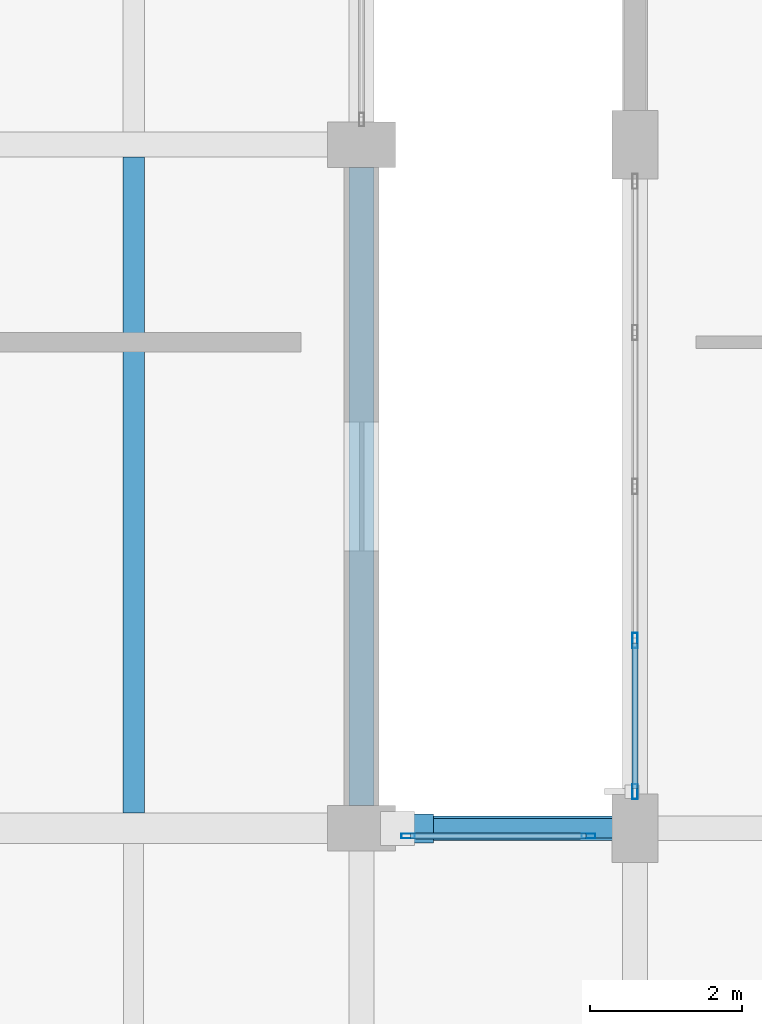
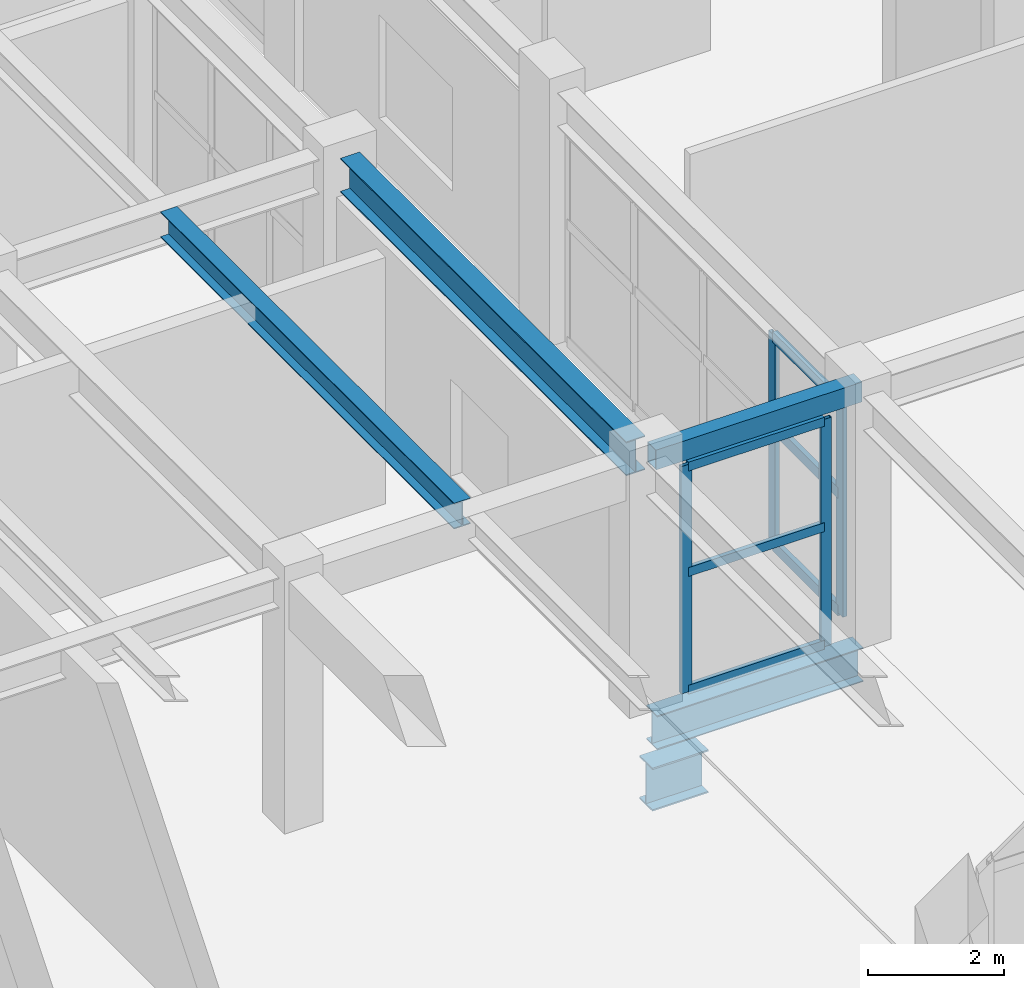
# One storey, part 32 of 85: 10 members, 5 beams, 2 elements without a shape of their own.
"""IFC4 building model written with IfcOpenShell, lengths in metres."""

from ifc_helpers import new_model, si_unit, direction, frame, origin, origin_2d, place, context, subcontext, project, spatial, hollow_rectangle, i_section, extrude, material, layer, layer_set, material_profile, profile_set, type_object, element, aggregate, save


model = new_model("IFC4")

# Units and contexts
model_context = context("Model", 3, precision=1e-05, world=origin(), true_north=direction((0.0, 1.0)))
body_context = subcontext(model_context, "Body", "Model", "MODEL_VIEW")
ifc_project = project(units=[si_unit("LENGTHUNIT", "METRE"), si_unit("AREAUNIT", "SQUARE_METRE"), si_unit("VOLUMEUNIT", "CUBIC_METRE"), si_unit("PLANEANGLEUNIT", "RADIAN"), si_unit("MASSUNIT", "GRAM", prefix="KILO")], contexts=[model_context])

# Site, building, storey
site_placement = place(None, origin())
site = spatial("IfcSite", under=ifc_project, at=site_placement, CompositionType="ELEMENT")
building_placement = place(site_placement, origin())
building = spatial("IfcBuilding", under=site, at=building_placement, Name="Vaelkrest Opera House", CompositionType="ELEMENT")
storey_placement = place(building_placement, frame((0.0, 0.0, 10.199951171875)))
storey = spatial("IfcBuildingStorey", under=building, at=storey_placement, Name="L02", CompositionType="ELEMENT", Elevation=10.199951171875)

# Curtain wall, members
ifc_material_1 = material(Name="Dark bronze anodized aluminium", Category="aluminium")
ifc_layer_1 = layer(ifc_material_1, 0.219970703125)
ifc_layer_set_1 = layer_set([ifc_layer_1], Name="Dark bronze anodized aluminium")
curtain_wall_type_1 = type_object("IfcCurtainWallType", Name="CW05", PredefinedType="NOTDEFINED", material=ifc_layer_set_1)
curtain_wall_1_placement = place(storey_placement, origin())
curtain_wall_1 = element("IfcCurtainWall", 1, at=curtain_wall_1_placement, inside=storey, type_object=curtain_wall_type_1, Name="Curtain wall CW-L02-183", PredefinedType="NOTDEFINED")
ifc_material_profile_1 = material_profile(ifc_material_1, hollow_rectangle(XDim=0.06494140625, YDim=0.179931640625, WallThickness=0.00390625, at=origin_2d()), Name="CWM65X180")
ifc_profile_set_1 = profile_set([ifc_material_profile_1], Name="Dark bronze anodized aluminium")
member_type_1 = type_object("IfcMemberType", Name="CWM01", PredefinedType="MULLION", material=ifc_profile_set_1)
member_1_placement = place(storey_placement, frame((30.612548828125, 1.10009765625, 0.0), z_axis=(0.0, 0.0, 1.0), x_axis=(0.0, 1.0, 0.0)))
member_1 = element("IfcMember", 2, at=member_1_placement, type_object=member_type_1, Name="CW05 mullion 1", PredefinedType="MULLION", context=body_context, shape_type="SweptSolid", body=[
    extrude(hollow_rectangle(XDim=0.06494140625, YDim=0.179931640625, WallThickness=0.00390625, at=origin_2d()), origin(), (0.0, 0.0, 1.0), 4.080078125),
])
member_2_placement = place(storey_placement, frame((32.987548828125, 1.10009765625, 0.0), z_axis=(0.0, 0.0, 1.0), x_axis=(0.0, 1.0, 0.0)))
member_2 = element("IfcMember", 3, at=member_2_placement, type_object=member_type_1, Name="CW05 mullion 2", PredefinedType="MULLION", context=body_context, shape_type="SweptSolid", body=[
    extrude(hollow_rectangle(XDim=0.06494140625, YDim=0.179931640625, WallThickness=0.00390625, at=origin_2d()), origin(), (0.0, 0.0, 1.0), 4.080078125),
])

ifc_layer_2 = layer(ifc_material_1, 0.22998046875)
ifc_layer_set_2 = layer_set([ifc_layer_2], Name="Dark bronze anodized aluminium")
curtain_wall_type_2 = type_object("IfcCurtainWallType", Name="CW06", PredefinedType="NOTDEFINED", material=ifc_layer_set_2)
curtain_wall_2_placement = place(storey_placement, origin())
curtain_wall_2 = element("IfcCurtainWall", 4, at=curtain_wall_2_placement, inside=storey, type_object=curtain_wall_type_2, Name="Curtain wall CW-L02-162", PredefinedType="NOTDEFINED")
ifc_material_profile_2 = material_profile(ifc_material_1, hollow_rectangle(XDim=0.070068359375, YDim=0.199951171875, WallThickness=0.004150390625, at=origin_2d()), Name="CWM70X200")
ifc_profile_set_2 = profile_set([ifc_material_profile_2], Name="Dark bronze anodized aluminium")
member_type_2 = type_object("IfcMemberType", Name="CWM02", PredefinedType="MULLION", material=ifc_profile_set_2)
member_3_placement = place(storey_placement, frame((33.60009765625, 1.68310546875, 0.0), z_axis=(0.0, 0.0, 1.0), x_axis=(-1.0, 0.0, 0.0)))
member_3 = element("IfcMember", 5, at=member_3_placement, type_object=member_type_2, Name="CW06 mullion 1", PredefinedType="MULLION", context=body_context, shape_type="SweptSolid", body=[
    extrude(hollow_rectangle(XDim=0.070068359375, YDim=0.199951171875, WallThickness=0.004150390625, at=origin_2d()), origin(), (0.0, 0.0, 1.0), 3.8291015625),
])
member_4_placement = place(storey_placement, frame((33.60009765625, 3.674072265625, 0.0), z_axis=(0.0, 0.0, 1.0), x_axis=(-1.0, 0.0, 0.0)))
member_4 = element("IfcMember", 6, at=member_4_placement, type_object=member_type_2, Name="CW06 mullion 2", PredefinedType="MULLION", context=body_context, shape_type="SweptSolid", body=[
    extrude(hollow_rectangle(XDim=0.070068359375, YDim=0.199951171875, WallThickness=0.004150390625, at=origin_2d()), origin(), (0.0, 0.0, 1.0), 3.8291015625),
])

# Member
ifc_material_profile_3 = material_profile(ifc_material_1, hollow_rectangle(XDim=0.074951171875, YDim=0.159912109375, WallThickness=0.00439453125, at=origin_2d()), Name="CWT75X160")
ifc_profile_set_3 = profile_set([ifc_material_profile_3], Name="Dark bronze anodized aluminium")
member_type_3 = type_object("IfcMemberType", Name="CWT03", PredefinedType="USERDEFINED", material=ifc_profile_set_3)
member_5_placement = place(storey_placement, frame((30.64501953125, 1.10009765625, 0.03759765625), z_axis=(1.0, 0.0, 0.0), x_axis=(0.0, 1.0, 0.0)))
member_5 = element("IfcMember", 7, at=member_5_placement, type_object=member_type_3, Name="CW05 transom 1.1", ObjectType="TRANSOM", PredefinedType="USERDEFINED", context=body_context, shape_type="SweptSolid", body=[
    extrude(hollow_rectangle(XDim=0.074951171875, YDim=0.159912109375, WallThickness=0.00439453125, at=origin_2d()), origin(), (0.0, 0.0, 1.0), 2.31005859375),
])

member_6_placement = place(storey_placement, frame((30.64501953125, 1.10009765625, 2.150146484375), z_axis=(1.0, 0.0, 0.0), x_axis=(0.0, 1.0, 0.0)))
member_6 = element("IfcMember", 8, at=member_6_placement, type_object=member_type_3, Name="CW05 transom 1.2", ObjectType="TRANSOM", PredefinedType="USERDEFINED", context=body_context, shape_type="SweptSolid", body=[
    extrude(hollow_rectangle(XDim=0.074951171875, YDim=0.159912109375, WallThickness=0.00439453125, at=origin_2d()), origin(), (0.0, 0.0, 1.0), 2.31005859375),
])

member_7_placement = place(storey_placement, frame((30.64501953125, 1.10009765625, 4.04248046875), z_axis=(1.0, 0.0, 0.0), x_axis=(0.0, 1.0, 0.0)))
member_7 = element("IfcMember", 9, at=member_7_placement, type_object=member_type_3, Name="CW05 transom 1.3", ObjectType="TRANSOM", PredefinedType="USERDEFINED", context=body_context, shape_type="SweptSolid", body=[
    extrude(hollow_rectangle(XDim=0.074951171875, YDim=0.159912109375, WallThickness=0.00439453125, at=origin_2d()), origin(), (0.0, 0.0, 1.0), 2.31005859375),
])

aggregate(curtain_wall_1, [member_1, member_2, member_5, member_6, member_7])

ifc_material_profile_4 = material_profile(ifc_material_1, hollow_rectangle(XDim=0.080078125, YDim=0.18994140625, WallThickness=0.0048828125, at=origin_2d()), Name="CWT80X190")
ifc_profile_set_4 = profile_set([ifc_material_profile_4], Name="Dark bronze anodized aluminium")
member_type_4 = type_object("IfcMemberType", Name="CWT04", PredefinedType="USERDEFINED", material=ifc_profile_set_4)
member_8_placement = place(storey_placement, frame((33.60009765625, 1.718017578125, 0.0400390625), z_axis=(0.0, 1.0, 0.0), x_axis=(-1.0, 0.0, 0.0)))
member_8 = element("IfcMember", 10, at=member_8_placement, type_object=member_type_4, Name="CW06 transom 1.1", ObjectType="TRANSOM", PredefinedType="USERDEFINED", context=body_context, shape_type="SweptSolid", body=[
    extrude(hollow_rectangle(XDim=0.080078125, YDim=0.18994140625, WallThickness=0.0048828125, at=origin_2d()), origin(), (0.0, 0.0, 1.0), 1.9208984375),
])

member_9_placement = place(storey_placement, frame((33.60009765625, 1.718017578125, 2.150146484375), z_axis=(0.0, 1.0, 0.0), x_axis=(-1.0, 0.0, 0.0)))
member_9 = element("IfcMember", 11, at=member_9_placement, type_object=member_type_4, Name="CW06 transom 1.2", ObjectType="TRANSOM", PredefinedType="USERDEFINED", context=body_context, shape_type="SweptSolid", body=[
    extrude(hollow_rectangle(XDim=0.080078125, YDim=0.18994140625, WallThickness=0.0048828125, at=origin_2d()), origin(), (0.0, 0.0, 1.0), 1.9208984375),
])

member_10_placement = place(storey_placement, frame((33.60009765625, 1.718017578125, 3.7890625), z_axis=(0.0, 1.0, 0.0), x_axis=(-1.0, 0.0, 0.0)))
member_10 = element("IfcMember", 12, at=member_10_placement, type_object=member_type_4, Name="CW06 transom 1.3", ObjectType="TRANSOM", PredefinedType="USERDEFINED", context=body_context, shape_type="SweptSolid", body=[
    extrude(hollow_rectangle(XDim=0.080078125, YDim=0.18994140625, WallThickness=0.0048828125, at=origin_2d()), origin(), (0.0, 0.0, 1.0), 1.9208984375),
])

aggregate(curtain_wall_2, [member_3, member_4, member_8, member_9, member_10])

# Beams
ifc_material_2 = material(Name="Steel A992 Gr50", Category="steel")
ifc_material_profile_5 = material_profile(ifc_material_2, i_section(OverallWidth=0.280029296875, OverallDepth=0.462890625, WebThickness=0.0107421875, FlangeThickness=0.017333984375, at=origin_2d()), Name="W18X76")
ifc_profile_set_5 = profile_set([ifc_material_profile_5], Name="Steel A992 Gr50")
beam_type_1 = type_object("IfcBeamType", Name="J09", PredefinedType="JOIST", material=ifc_profile_set_5)
beam_1_placement = place(storey_placement, frame((27.0, 1.39990234375, 4.2734375), z_axis=(0.0, 1.0, 0.0), x_axis=(-1.0, 0.0, 0.0)))
element("IfcBeam", 13, at=beam_1_placement, inside=storey, type_object=beam_type_1, Name="Floor joist JST-V1-L02-0419", PredefinedType="JOIST", context=body_context, shape_type="SweptSolid", body=[
    extrude(i_section(OverallWidth=0.280029296875, OverallDepth=0.462890625, WebThickness=0.0107421875, FlangeThickness=0.017333984375, at=origin_2d()), origin(), (0.0, 0.0, 1.0), 8.635986328125),
])
ifc_material_profile_6 = material_profile(ifc_material_2, i_section(OverallWidth=0.323974609375, OverallDepth=0.611083984375, WebThickness=0.0126953125, FlangeThickness=0.01904296875, at=origin_2d()), Name="W24X104")
ifc_profile_set_6 = profile_set([ifc_material_profile_6], Name="Steel A992 Gr50")
beam_type_2 = type_object("IfcBeamType", Name="SP01", PredefinedType="SPANDREL", material=ifc_profile_set_6)
beam_2_placement = place(storey_placement, frame((30.0, 1.5, 4.199462890625), z_axis=(0.0, 1.0, 0.0), x_axis=(-1.0, 0.0, 0.0)))
element("IfcBeam", 14, at=beam_2_placement, inside=storey, type_object=beam_type_2, Name="Beam BM-V1-L02-0405", PredefinedType="SPANDREL", context=body_context, shape_type="SweptSolid", body=[
    extrude(i_section(OverallWidth=0.323974609375, OverallDepth=0.611083984375, WebThickness=0.0126953125, FlangeThickness=0.01904296875, at=origin_2d()), origin(), (0.0, 0.0, 1.0), 8.39990234375),
])
beam_3_placement = place(storey_placement, frame((30.10009765625, 1.199951171875, -0.530029296875), z_axis=(1.0, 0.0, 0.0), x_axis=(0.0, 1.0, 0.0)))
element("IfcBeam", 15, at=beam_3_placement, inside=storey, type_object=beam_type_2, Name="Bridge cantilever girder BR-E-L02 N", PredefinedType="SPANDREL", context=body_context, shape_type="SweptSolid", body=[
    extrude(i_section(OverallWidth=0.323974609375, OverallDepth=0.611083984375, WebThickness=0.0126953125, FlangeThickness=0.01904296875, at=origin_2d()), origin(), (0.0, 0.0, 1.0), 3.5),
])
ifc_material_profile_7 = material_profile(ifc_material_2, i_section(OverallWidth=0.381103515625, OverallDepth=0.77294921875, WebThickness=0.0166015625, FlangeThickness=0.027099609375, at=origin_2d()), Name="W30X173")
ifc_profile_set_7 = profile_set([ifc_material_profile_7], Name="Steel A992 Gr50")
beam_type_3 = type_object("IfcBeamType", Name="SP03", PredefinedType="SPANDREL", material=ifc_profile_set_7)
beam_4_placement = place(storey_placement, frame((30.0, 1.199951171875, -1.5), z_axis=(1.0, 0.0, 0.0), x_axis=(0.0, 1.0, 0.0)))
element("IfcBeam", 16, at=beam_4_placement, inside=storey, type_object=beam_type_3, Name="Seismic bridge 950mm RC corbel seat BR-E-L02 N", PredefinedType="SPANDREL", context=body_context, shape_type="SweptSolid", body=[
    extrude(i_section(OverallWidth=0.381103515625, OverallDepth=0.77294921875, WebThickness=0.0166015625, FlangeThickness=0.027099609375, at=origin_2d()), origin(), (0.0, 0.0, 1.0), 0.949951171875),
])
ifc_material_3 = material(Name="Steel A500 GrC", Category="steel")
ifc_material_profile_8 = material_profile(ifc_material_3, hollow_rectangle(XDim=0.25390625, YDim=0.35595703125, WallThickness=0.0126953125, at=origin_2d()), Name="HSS356X254X12.7")
ifc_profile_set_8 = profile_set([ifc_material_profile_8], Name="Steel A500 GrC")
beam_type_4 = type_object("IfcBeamType", Name="SP04", PredefinedType="SPANDREL", material=ifc_profile_set_8)
beam_5_placement = place(storey_placement, frame((30.10009765625, 1.199951171875, 4.344970703125), z_axis=(1.0, 0.0, 0.0), x_axis=(0.0, 1.0, 0.0)))
element("IfcBeam", 17, at=beam_5_placement, inside=storey, type_object=beam_type_4, Name="Bridge roof girder BR-E-L02 N", PredefinedType="SPANDREL", context=body_context, shape_type="SweptSolid", body=[
    extrude(hollow_rectangle(XDim=0.25390625, YDim=0.35595703125, WallThickness=0.0126953125, at=origin_2d()), origin(), (0.0, 0.0, 1.0), 3.5),
])

save(model, "model.ifc")
